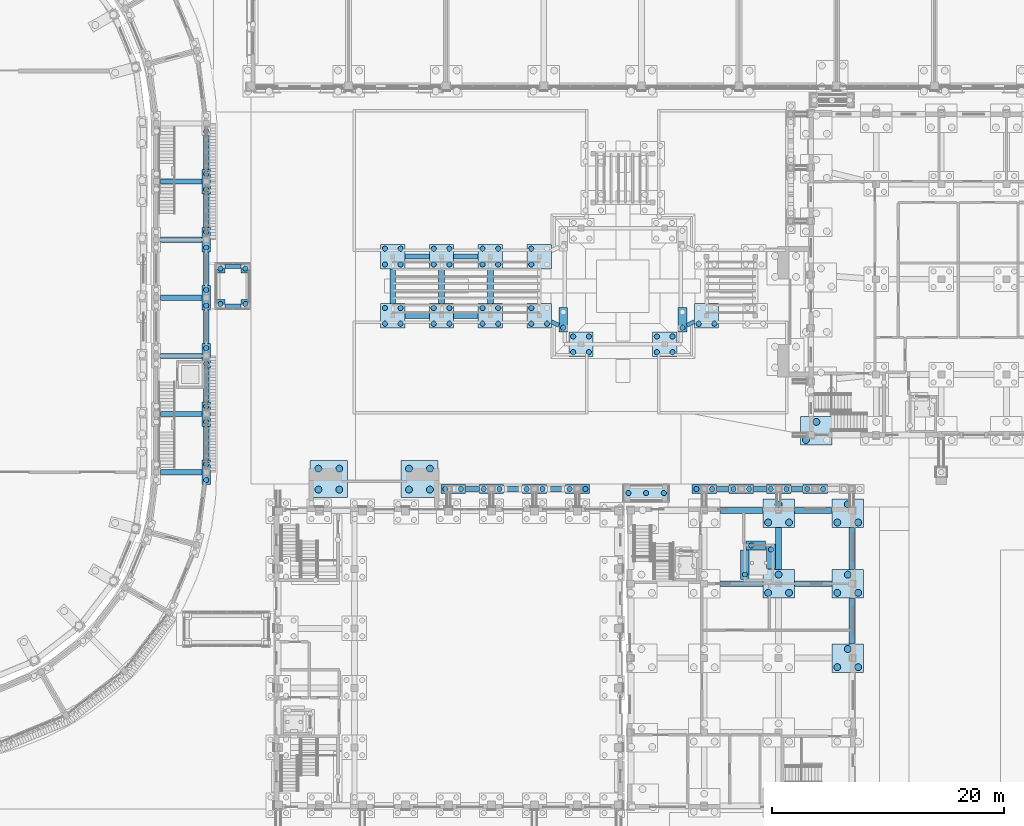
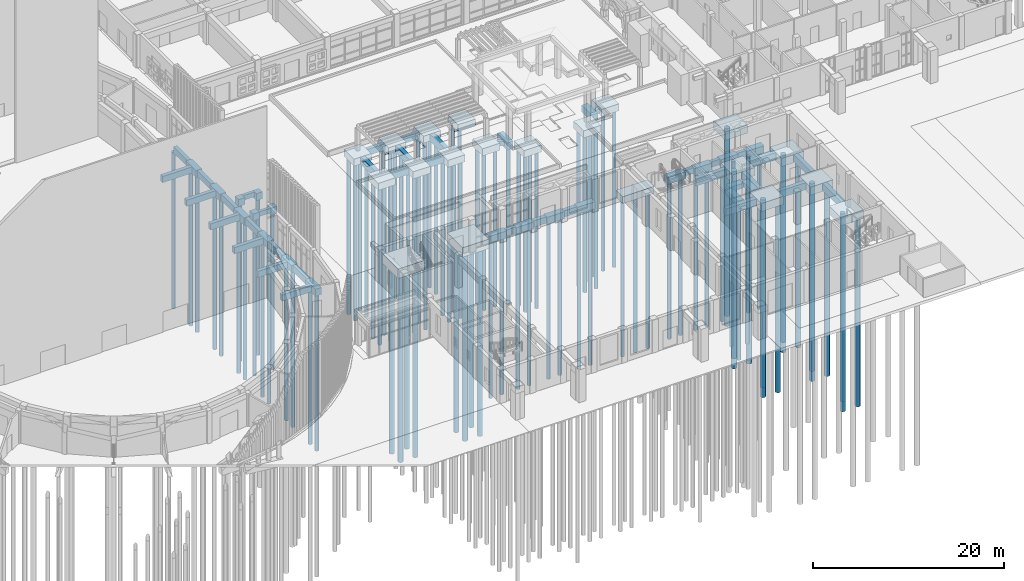
# One storey, part 5 of 112: 105 piles, 79 footings.
"""IFC4 building model written with IfcOpenShell, lengths in metres."""

from ifc_helpers import new_model, si_unit, direction, frame, origin, origin_2d, place, context, subcontext, project, spatial, rectangle, circle, extrude, material, material_profile, profile_set, type_object, element, save


model = new_model("IFC4")

# Units and contexts
model_context = context("Model", 3, precision=1e-05, world=origin(), true_north=direction((0.0, 1.0)))
body_context = subcontext(model_context, "Body", "Model", "MODEL_VIEW")
ifc_project = project(units=[si_unit("LENGTHUNIT", "METRE"), si_unit("AREAUNIT", "SQUARE_METRE"), si_unit("VOLUMEUNIT", "CUBIC_METRE"), si_unit("PLANEANGLEUNIT", "RADIAN"), si_unit("MASSUNIT", "GRAM", prefix="KILO")], contexts=[model_context])

# Site, building, storey
site_placement = place(None, origin())
site = spatial("IfcSite", under=ifc_project, at=site_placement, CompositionType="ELEMENT")
building_placement = place(site_placement, origin())
building = spatial("IfcBuilding", under=site, at=building_placement, Name="Wasatch Bagh Community Centre", CompositionType="ELEMENT")
storey_placement = place(building_placement, origin())
storey = spatial("IfcBuildingStorey", under=building, at=storey_placement, Name="L00", CompositionType="ELEMENT", Elevation=0.0)

# Footings
ifc_material_1 = material(Name="Concrete C30", Category="concrete")
footing_type_1 = type_object("IfcFootingType", Name="DHPQ-F2", PredefinedType="PILE_CAP", material=ifc_material_1)
for number, where, z_axis, x_axis, name in (
    (1, (70.699951171875, 34.39990234375, -1.39990234375), (0.0, 0.0, 1.0), (0.0, 1.0, 0.0), "Iwan flank 1 cap"),
    (2, (78.5, 34.39990234375, -1.39990234375), (0.0, 0.0, 1.0), (0.0, 1.0, 0.0), "Iwan flank 2 cap"),
):
    element("IfcFooting", number, at=place(storey_placement, frame(where, z_axis=z_axis, x_axis=x_axis)), inside=storey, type_object=footing_type_1, Name=name, PredefinedType="PILE_CAP", context=body_context, shape_type="SweptSolid", body=[
        extrude(rectangle(XDim=3.199951171875, YDim=3.199951171875, at=origin_2d()), origin(), (0.0, 0.0, 1.0), 1.199951171875),
    ])
ifc_material_2 = material(Name="Concrete C35", Category="concrete")
footing_type_2 = type_object("IfcFootingType", Name="FD-GB-A", PredefinedType="FOOTING_BEAM", material=ifc_material_2)
for number, where, z_axis, x_axis, name in (
    (3, (104.60009765625, 33.550048828125, -0.89990234375), (0.0, 0.0, 1.0), (1.0, 0.0, 0.0), "GB ground beam 4"),
    (4, (107.800048828125, 33.550048828125, -0.89990234375), (0.0, 0.0, 1.0), (1.0, 0.0, 0.0), "GB ground beam 5"),
):
    element("IfcFooting", number, at=place(storey_placement, frame(where, z_axis=z_axis, x_axis=x_axis)), inside=storey, type_object=footing_type_2, Name=name, PredefinedType="FOOTING_BEAM", context=body_context, shape_type="SweptSolid", body=[
        extrude(rectangle(XDim=1.10009765625, YDim=0.39990234375, at=origin_2d()), origin(), (0.0, 0.0, 1.0), 0.699951171875),
    ])
footing_1_placement = place(storey_placement, frame((110.97509765625, 33.550048828125, -0.89990234375), z_axis=(0.0, 0.0, 1.0), x_axis=(1.0, 0.0, 0.0)))
element("IfcFooting", 5, at=footing_1_placement, inside=storey, type_object=footing_type_2, Name="GB ground beam 6", PredefinedType="FOOTING_BEAM", context=body_context, shape_type="SweptSolid", body=[
    extrude(rectangle(XDim=1.050048828125, YDim=0.39990234375, at=origin_2d()), origin(), (0.0, 0.0, 1.0), 0.699951171875),
])
footing_type_3 = type_object("IfcFootingType", Name="FD-GB-B", PredefinedType="FOOTING_BEAM", material=ifc_material_2)
footing_2_placement = place(storey_placement, frame((86.550048828125, 33.550048828125, -1.0), z_axis=(0.0, 0.0, 1.0), x_axis=(1.0, 0.0, 0.0)))
element("IfcFooting", 6, at=footing_2_placement, inside=storey, type_object=footing_type_3, Name="GB ground beam 1", PredefinedType="FOOTING_BEAM", context=body_context, shape_type="SweptSolid", body=[
    extrude(rectangle(XDim=1.60009765625, YDim=0.449951171875, at=origin_2d()), origin(), (0.0, 0.0, 1.0), 0.800048828125),
])
footing_3_placement = place(storey_placement, frame((83.050048828125, 33.550048828125, -1.0), z_axis=(0.0, 0.0, 1.0), x_axis=(-1.0, 0.0, 0.0)))
element("IfcFooting", 7, at=footing_3_placement, inside=storey, type_object=footing_type_3, Name="GB ground beam 2", PredefinedType="FOOTING_BEAM", context=body_context, shape_type="SweptSolid", body=[
    extrude(rectangle(XDim=1.199951171875, YDim=0.449951171875, at=origin_2d()), origin(), (0.0, 0.0, 1.0), 0.800048828125),
])
footing_4_placement = place(storey_placement, frame((90.25, 33.550048828125, -1.0), z_axis=(0.0, 0.0, 1.0), x_axis=(1.0, 0.0, 0.0)))
element("IfcFooting", 8, at=footing_4_placement, inside=storey, type_object=footing_type_3, Name="GB ground beam 3", PredefinedType="FOOTING_BEAM", context=body_context, shape_type="SweptSolid", body=[
    extrude(rectangle(XDim=1.60009765625, YDim=0.449951171875, at=origin_2d()), origin(), (0.0, 0.0, 1.0), 0.800048828125),
])
for number, where, z_axis, x_axis, name in (
    (9, (58.0, 35.0, -1.0), (0.0, 0.0, 1.0), (1.0, 0.0, 0.0), "GB ground beam 75"),
    (10, (58.0, 40.0, -1.0), (0.0, 0.0, 1.0), (1.0, 0.0, 0.0), "GB ground beam 77"),
    (11, (58.0, 45.0, -1.0), (0.0, 0.0, 1.0), (1.0, 0.0, 0.0), "GB ground beam 79"),
    (12, (58.0, 50.0, -1.0), (0.0, 0.0, 1.0), (1.0, 0.0, 0.0), "GB ground beam 81"),
    (13, (58.0, 55.0, -1.0), (0.0, 0.0, 1.0), (1.0, 0.0, 0.0), "GB ground beam 83"),
    (14, (58.0, 60.0, -1.0), (0.0, 0.0, 1.0), (1.0, 0.0, 0.0), "GB ground beam 85"),
):
    element("IfcFooting", number, at=place(storey_placement, frame(where, z_axis=z_axis, x_axis=x_axis)), inside=storey, type_object=footing_type_3, Name=name, PredefinedType="FOOTING_BEAM", context=body_context, shape_type="SweptSolid", body=[
        extrude(rectangle(XDim=3.550048828125, YDim=0.449951171875, at=origin_2d()), origin(), (0.0, 0.0, 1.0), 0.800048828125),
    ])
for number, where, z_axis, x_axis, name in (
    (15, (60.14990234375, 37.5, -1.0), (0.0, 0.0, 1.0), (0.0, 1.0, 0.0), "GB ground beam 145"),
    (16, (60.14990234375, 42.5, -1.0), (0.0, 0.0, 1.0), (0.0, 1.0, 0.0), "GB ground beam 146"),
    (17, (60.14990234375, 47.5, -1.0), (0.0, 0.0, 1.0), (0.0, 1.0, 0.0), "GB ground beam 147"),
    (18, (60.14990234375, 52.5, -1.0), (0.0, 0.0, 1.0), (0.0, 1.0, 0.0), "GB ground beam 148"),
    (19, (60.14990234375, 57.5, -1.0), (0.0, 0.0, 1.0), (0.0, 1.0, 0.0), "GB ground beam 149"),
    (20, (60.14990234375, 62.5, -1.0), (0.0, 0.0, 1.0), (0.0, 1.0, 0.0), "GB ground beam 150"),
):
    element("IfcFooting", number, at=place(storey_placement, frame(where, z_axis=z_axis, x_axis=x_axis)), inside=storey, type_object=footing_type_3, Name=name, PredefinedType="FOOTING_BEAM", context=body_context, shape_type="SweptSolid", body=[
        extrude(rectangle(XDim=2.89990234375, YDim=0.449951171875, at=origin_2d()), origin(), (0.0, 0.0, 1.0), 0.800048828125),
    ])
for number, where, z_axis, x_axis, name in (
    (21, (82.5, 48.449951171875, -1.0), (0.0, 0.0, 1.0), (-1.0, 0.0, 0.0), "GB ground beam 322"),
    (22, (82.5, 53.550048828125, -1.0), (0.0, 0.0, 1.0), (-1.0, 0.0, 0.0), "GB ground beam 323"),
    (23, (78.300048828125, 48.449951171875, -1.0), (0.0, 0.0, 1.0), (-1.0, 0.0, 0.0), "GB ground beam 325"),
    (24, (78.300048828125, 53.550048828125, -1.0), (0.0, 0.0, 1.0), (-1.0, 0.0, 0.0), "GB ground beam 326"),
):
    element("IfcFooting", number, at=place(storey_placement, frame(where, z_axis=z_axis, x_axis=x_axis)), inside=storey, type_object=footing_type_3, Name=name, PredefinedType="FOOTING_BEAM", context=body_context, shape_type="SweptSolid", body=[
        extrude(rectangle(XDim=2.10009765625, YDim=0.449951171875, at=origin_2d()), origin(), (0.0, 0.0, 1.0), 0.800048828125),
    ])
footing_type_4 = type_object("IfcFootingType", Name="FD-GB-C", PredefinedType="FOOTING_BEAM", material=ifc_material_2)
footing_5_placement = place(storey_placement, frame((106.199951171875, 25.39990234375, -1.099853515625), z_axis=(0.0, 0.0, 1.0), x_axis=(1.0, 0.0, 0.0)))
element("IfcFooting", 25, at=footing_5_placement, inside=storey, type_object=footing_type_4, Name="GB ground beam 164", PredefinedType="FOOTING_BEAM", context=body_context, shape_type="SweptSolid", body=[
    extrude(rectangle(XDim=3.699951171875, YDim=0.5, at=origin_2d()), origin(), (0.0, 0.0, 1.0), 0.89990234375),
])
footing_6_placement = place(storey_placement, frame((109.39990234375, 28.425048828125, -1.099853515625), z_axis=(0.0, 0.0, 1.0), x_axis=(0.0, 1.0, 0.0)))
element("IfcFooting", 26, at=footing_6_placement, inside=storey, type_object=footing_type_4, Name="GB ground beam 172", PredefinedType="FOOTING_BEAM", context=body_context, shape_type="SweptSolid", body=[
    extrude(rectangle(XDim=3.591064453125, YDim=0.5, at=origin_2d()), origin(), (0.0, 0.0, 1.0), 0.89990234375),
])
footing_7_placement = place(storey_placement, frame((112.375, 25.39990234375, -1.099853515625), z_axis=(0.0, 0.0, 1.0), x_axis=(1.0, 0.0, 0.0)))
element("IfcFooting", 27, at=footing_7_placement, inside=storey, type_object=footing_type_4, Name="GB ground beam 173", PredefinedType="FOOTING_BEAM", context=body_context, shape_type="SweptSolid", body=[
    extrude(rectangle(XDim=3.25, YDim=0.5, at=origin_2d()), origin(), (0.0, 0.0, 1.0), 0.89990234375),
])
footing_8_placement = place(storey_placement, frame((106.199951171875, 31.699951171875, -1.099853515625), z_axis=(0.0, 0.0, 1.0), x_axis=(1.0, 0.0, 0.0)))
element("IfcFooting", 28, at=footing_8_placement, inside=storey, type_object=footing_type_4, Name="GB ground beam 181", PredefinedType="FOOTING_BEAM", context=body_context, shape_type="SweptSolid", body=[
    extrude(rectangle(XDim=3.699951171875, YDim=0.5, at=origin_2d()), origin(), (0.0, 0.0, 1.0), 0.89990234375),
])
footing_9_placement = place(storey_placement, frame((112.375, 31.699951171875, -1.099853515625), z_axis=(0.0, 0.0, 1.0), x_axis=(1.0, 0.0, 0.0)))
element("IfcFooting", 29, at=footing_9_placement, inside=storey, type_object=footing_type_4, Name="GB ground beam 183", PredefinedType="FOOTING_BEAM", context=body_context, shape_type="SweptSolid", body=[
    extrude(rectangle(XDim=3.25, YDim=0.5, at=origin_2d()), origin(), (0.0, 0.0, 1.0), 0.89990234375),
])
footing_10_placement = place(storey_placement, frame((115.699951171875, 22.199951171875, -1.099853515625), z_axis=(0.0, 0.0, 1.0), x_axis=(0.0, 1.0, 0.0)))
element("IfcFooting", 30, at=footing_10_placement, inside=storey, type_object=footing_type_4, Name="GB ground beam 186", PredefinedType="FOOTING_BEAM", context=body_context, shape_type="SweptSolid", body=[
    extrude(rectangle(XDim=3.94091796875, YDim=0.5, at=origin_2d()), origin(), (0.0, 0.0, 1.0), 0.89990234375),
])
footing_11_placement = place(storey_placement, frame((115.699951171875, 28.425048828125, -1.099853515625), z_axis=(0.0, 0.0, 1.0), x_axis=(0.0, 1.0, 0.0)))
element("IfcFooting", 31, at=footing_11_placement, inside=storey, type_object=footing_type_4, Name="GB ground beam 187", PredefinedType="FOOTING_BEAM", context=body_context, shape_type="SweptSolid", body=[
    extrude(rectangle(XDim=3.591064453125, YDim=0.5, at=origin_2d()), origin(), (0.0, 0.0, 1.0), 0.89990234375),
])
for number, where, z_axis, x_axis, name in (
    (32, (84.60009765625, 51.0, -1.099853515625), (0.0, 0.0, 1.0), (0.0, 1.0, 0.0), "GB ground beam 321"),
    (33, (80.39990234375, 51.0, -1.099853515625), (0.0, 0.0, 1.0), (0.0, 1.0, 0.0), "GB ground beam 324"),
    (34, (76.199951171875, 51.0, -1.099853515625), (0.0, 0.0, 1.0), (0.0, 1.0, 0.0), "GB ground beam 327"),
):
    element("IfcFooting", number, at=place(storey_placement, frame(where, z_axis=z_axis, x_axis=x_axis)), inside=storey, type_object=footing_type_4, Name=name, PredefinedType="FOOTING_BEAM", context=body_context, shape_type="SweptSolid", body=[
        extrude(rectangle(XDim=3.0, YDim=0.5, at=origin_2d()), origin(), (0.0, 0.0, 1.0), 0.89990234375),
    ])
footing_type_5 = type_object("IfcFootingType", Name="FD-GB-S", PredefinedType="FOOTING_BEAM", material=ifc_material_2)
for number, where, z_axis, x_axis, name in (
    (35, (62.449951171875, 49.300048828125, -0.800048828125), (0.0, 0.0, 1.0), (1.0, 0.0, 0.0), "GB ground beam 260"),
    (36, (62.449951171875, 52.699951171875, -0.800048828125), (0.0, 0.0, 1.0), (1.0, 0.0, 0.0), "GB ground beam 261"),
):
    element("IfcFooting", number, at=place(storey_placement, frame(where, z_axis=z_axis, x_axis=x_axis)), inside=storey, type_object=footing_type_5, Name=name, PredefinedType="FOOTING_BEAM", context=body_context, shape_type="SweptSolid", body=[
        extrude(rectangle(XDim=1.39990234375, YDim=0.35009765625, at=origin_2d()), origin(), (0.0, 0.0, 1.0), 0.60009765625),
    ])
for number, where, z_axis, x_axis, name in (
    (37, (90.175048828125, 47.793701171875, -0.800048828125), (0.0, 0.0, 1.0), (0.90248103778, -0.430729586222, 0.0), "GB ground beam 319"),
    (38, (101.824951171875, 47.793701171875, -0.800048828125), (0.0, 0.0, 1.0), (-0.90248103778, -0.430729586222, 0.0), "GB ground beam 328"),
):
    element("IfcFooting", number, at=place(storey_placement, frame(where, z_axis=z_axis, x_axis=x_axis)), inside=storey, type_object=footing_type_5, Name=name, PredefinedType="FOOTING_BEAM", context=body_context, shape_type="SweptSolid", body=[
        extrude(rectangle(XDim=0.72021484375, YDim=0.35009765625, at=origin_2d()), origin(), (0.0, 0.0, 1.0), 0.60009765625),
    ])

# Piles
ifc_material_profile_1 = material_profile(ifc_material_1, circle(Radius=0.22509765625, at=origin_2d()), Name="RC D450")
ifc_profile_set_1 = profile_set([ifc_material_profile_1], Name="Concrete C30")
pile_type_1 = type_object("IfcPileType", Name="FD-P450", PredefinedType="BORED", material=ifc_profile_set_1)
for number, where, z_axis, x_axis, name in (
    (39, (80.72509765625, 33.550048828125, -1.10009765625), (0.0, 0.0, -1.0), (1.0, 0.0, 0.0), "P pile 5.1"),
    (40, (82.074951171875, 33.550048828125, -1.10009765625), (0.0, 0.0, -1.0), (1.0, 0.0, 0.0), "P pile 5.2"),
    (41, (84.02490234375, 33.550048828125, -1.10009765625), (0.0, 0.0, -1.0), (1.0, 0.0, 0.0), "P pile 6.1"),
    (42, (85.375, 33.550048828125, -1.10009765625), (0.0, 0.0, -1.0), (1.0, 0.0, 0.0), "P pile 6.2"),
    (43, (87.72509765625, 33.550048828125, -1.10009765625), (0.0, 0.0, -1.0), (1.0, 0.0, 0.0), "P pile 7.1"),
    (44, (89.074951171875, 33.550048828125, -1.10009765625), (0.0, 0.0, -1.0), (1.0, 0.0, 0.0), "P pile 7.2"),
    (45, (91.425048828125, 33.550048828125, -1.10009765625), (0.0, 0.0, -1.0), (1.0, 0.0, 0.0), "P pile 8.1"),
    (46, (92.77490234375, 33.550048828125, -1.10009765625), (0.0, 0.0, -1.0), (1.0, 0.0, 0.0), "P pile 8.2"),
    (47, (102.324951171875, 33.550048828125, -1.10009765625), (0.0, 0.0, -1.0), (1.0, 0.0, 0.0), "P pile 9.1"),
    (48, (103.675048828125, 33.550048828125, -1.10009765625), (0.0, 0.0, -1.0), (1.0, 0.0, 0.0), "P pile 9.2"),
    (49, (105.52490234375, 33.550048828125, -1.10009765625), (0.0, 0.0, -1.0), (1.0, 0.0, 0.0), "P pile 10.1"),
    (50, (106.875, 33.550048828125, -1.10009765625), (0.0, 0.0, -1.0), (1.0, 0.0, 0.0), "P pile 10.2"),
    (51, (108.72509765625, 33.550048828125, -1.10009765625), (0.0, 0.0, -1.0), (1.0, 0.0, 0.0), "P pile 11.1"),
    (52, (110.074951171875, 33.550048828125, -1.10009765625), (0.0, 0.0, -1.0), (1.0, 0.0, 0.0), "P pile 11.2"),
    (53, (111.875, 33.550048828125, -1.10009765625), (0.0, 0.0, -1.0), (1.0, 0.0, 0.0), "P pile 12.1"),
    (54, (113.22509765625, 33.550048828125, -1.10009765625), (0.0, 0.0, -1.0), (1.0, 0.0, 0.0), "P pile 12.2"),
    (55, (60.14990234375, 34.324951171875, -1.10009765625), (0.0, 0.0, -1.0), (1.0, 0.0, 0.0), "P pile 104.1"),
    (56, (60.14990234375, 35.675048828125, -1.10009765625), (0.0, 0.0, -1.0), (1.0, 0.0, 0.0), "P pile 104.2"),
    (57, (60.14990234375, 39.324951171875, -1.10009765625), (0.0, 0.0, -1.0), (1.0, 0.0, 0.0), "P pile 108.1"),
    (58, (60.14990234375, 40.675048828125, -1.10009765625), (0.0, 0.0, -1.0), (1.0, 0.0, 0.0), "P pile 108.2"),
    (59, (60.14990234375, 44.324951171875, -1.10009765625), (0.0, 0.0, -1.0), (1.0, 0.0, 0.0), "P pile 112.1"),
    (60, (60.14990234375, 45.675048828125, -1.10009765625), (0.0, 0.0, -1.0), (1.0, 0.0, 0.0), "P pile 112.2"),
    (61, (60.14990234375, 49.324951171875, -1.10009765625), (0.0, 0.0, -1.0), (1.0, 0.0, 0.0), "P pile 116.1"),
    (62, (60.14990234375, 50.675048828125, -1.10009765625), (0.0, 0.0, -1.0), (1.0, 0.0, 0.0), "P pile 116.2"),
    (63, (60.14990234375, 54.324951171875, -1.10009765625), (0.0, 0.0, -1.0), (1.0, 0.0, 0.0), "P pile 120.1"),
    (64, (60.14990234375, 55.675048828125, -1.10009765625), (0.0, 0.0, -1.0), (1.0, 0.0, 0.0), "P pile 120.2"),
    (65, (60.14990234375, 59.324951171875, -1.10009765625), (0.0, 0.0, -1.0), (1.0, 0.0, 0.0), "P pile 124.1"),
    (66, (60.14990234375, 60.675048828125, -1.10009765625), (0.0, 0.0, -1.0), (1.0, 0.0, 0.0), "P pile 124.2"),
    (67, (60.14990234375, 64.324951171875, -1.10009765625), (0.0, 0.0, -1.0), (1.0, 0.0, 0.0), "P pile 128.1"),
    (68, (61.375, 49.47509765625, -1.10009765625), (0.0, 0.0, -1.0), (1.0, 0.0, 0.0), "P pile 247.1"),
    (69, (63.52490234375, 49.47509765625, -1.10009765625), (0.0, 0.0, -1.0), (1.0, 0.0, 0.0), "P pile 248.1"),
    (70, (61.375, 52.52490234375, -1.10009765625), (0.0, 0.0, -1.0), (1.0, 0.0, 0.0), "P pile 249.1"),
    (71, (63.52490234375, 52.52490234375, -1.10009765625), (0.0, 0.0, -1.0), (1.0, 0.0, 0.0), "P pile 250.1"),
    (72, (96.47509765625, 33.199951171875, -1.10009765625), (0.0, 0.0, -1.0), (1.0, 0.0, 0.0), "P pile 256.1"),
    (73, (98.0, 33.199951171875, -1.10009765625), (0.0, 0.0, -1.0), (1.0, 0.0, 0.0), "P pile 256.2"),
    (74, (99.52490234375, 33.199951171875, -1.10009765625), (0.0, 0.0, -1.0), (1.0, 0.0, 0.0), "P pile 256.3"),
    (75, (91.72509765625, 45.324951171875, -1.10009765625), (0.0, 0.0, -1.0), (1.0, 0.0, 0.0), "P pile 296.1"),
    (76, (93.074951171875, 45.324951171875, -1.10009765625), (0.0, 0.0, -1.0), (1.0, 0.0, 0.0), "P pile 296.2"),
    (77, (91.72509765625, 46.675048828125, -1.10009765625), (0.0, 0.0, -1.0), (1.0, 0.0, 0.0), "P pile 296.3"),
    (78, (93.074951171875, 46.675048828125, -1.10009765625), (0.0, 0.0, -1.0), (1.0, 0.0, 0.0), "P pile 296.4"),
    (79, (98.925048828125, 45.324951171875, -1.10009765625), (0.0, 0.0, -1.0), (1.0, 0.0, 0.0), "P pile 297.1"),
    (80, (100.27490234375, 45.324951171875, -1.10009765625), (0.0, 0.0, -1.0), (1.0, 0.0, 0.0), "P pile 297.2"),
    (81, (98.925048828125, 46.675048828125, -1.10009765625), (0.0, 0.0, -1.0), (1.0, 0.0, 0.0), "P pile 297.3"),
    (82, (100.27490234375, 46.675048828125, -1.10009765625), (0.0, 0.0, -1.0), (1.0, 0.0, 0.0), "P pile 297.4"),
    (83, (90.875, 47.425048828125, -1.10009765625), (0.0, 0.0, -1.0), (1.0, 0.0, 0.0), "P pile 298.1"),
    (84, (101.125, 47.425048828125, -1.10009765625), (0.0, 0.0, -1.0), (1.0, 0.0, 0.0), "P pile 299.1"),
    (85, (75.52490234375, 47.77490234375, -1.10009765625), (0.0, 0.0, -1.0), (1.0, 0.0, 0.0), "P pile 300.1"),
    (86, (76.875, 47.77490234375, -1.10009765625), (0.0, 0.0, -1.0), (1.0, 0.0, 0.0), "P pile 300.2"),
    (87, (75.52490234375, 49.125, -1.10009765625), (0.0, 0.0, -1.0), (1.0, 0.0, 0.0), "P pile 300.3"),
    (88, (76.875, 49.125, -1.10009765625), (0.0, 0.0, -1.0), (1.0, 0.0, 0.0), "P pile 300.4"),
    (89, (79.72509765625, 47.77490234375, -1.10009765625), (0.0, 0.0, -1.0), (1.0, 0.0, 0.0), "P pile 301.1"),
    (90, (81.074951171875, 47.77490234375, -1.10009765625), (0.0, 0.0, -1.0), (1.0, 0.0, 0.0), "P pile 301.2"),
    (91, (79.72509765625, 49.125, -1.10009765625), (0.0, 0.0, -1.0), (1.0, 0.0, 0.0), "P pile 301.3"),
    (92, (81.074951171875, 49.125, -1.10009765625), (0.0, 0.0, -1.0), (1.0, 0.0, 0.0), "P pile 301.4"),
    (93, (83.925048828125, 47.77490234375, -1.10009765625), (0.0, 0.0, -1.0), (1.0, 0.0, 0.0), "P pile 302.1"),
    (94, (85.27490234375, 47.77490234375, -1.10009765625), (0.0, 0.0, -1.0), (1.0, 0.0, 0.0), "P pile 302.2"),
    (95, (83.925048828125, 49.125, -1.10009765625), (0.0, 0.0, -1.0), (1.0, 0.0, 0.0), "P pile 302.3"),
    (96, (85.27490234375, 49.125, -1.10009765625), (0.0, 0.0, -1.0), (1.0, 0.0, 0.0), "P pile 302.4"),
    (97, (88.125, 47.77490234375, -1.10009765625), (0.0, 0.0, -1.0), (1.0, 0.0, 0.0), "P pile 303.1"),
    (98, (89.47509765625, 47.77490234375, -1.10009765625), (0.0, 0.0, -1.0), (1.0, 0.0, 0.0), "P pile 303.2"),
    (99, (88.125, 49.125, -1.10009765625), (0.0, 0.0, -1.0), (1.0, 0.0, 0.0), "P pile 303.3"),
    (100, (102.52490234375, 47.77490234375, -1.10009765625), (0.0, 0.0, -1.0), (1.0, 0.0, 0.0), "P pile 304.1"),
    (101, (103.875, 47.77490234375, -1.10009765625), (0.0, 0.0, -1.0), (1.0, 0.0, 0.0), "P pile 304.2"),
    (102, (75.52490234375, 52.875, -1.10009765625), (0.0, 0.0, -1.0), (1.0, 0.0, 0.0), "P pile 306.1"),
    (103, (76.875, 52.875, -1.10009765625), (0.0, 0.0, -1.0), (1.0, 0.0, 0.0), "P pile 306.2"),
    (104, (75.52490234375, 54.22509765625, -1.10009765625), (0.0, 0.0, -1.0), (1.0, 0.0, 0.0), "P pile 306.3"),
    (105, (76.875, 54.22509765625, -1.10009765625), (0.0, 0.0, -1.0), (1.0, 0.0, 0.0), "P pile 306.4"),
    (106, (79.72509765625, 52.875, -1.10009765625), (0.0, 0.0, -1.0), (1.0, 0.0, 0.0), "P pile 307.1"),
    (107, (81.074951171875, 52.875, -1.10009765625), (0.0, 0.0, -1.0), (1.0, 0.0, 0.0), "P pile 307.2"),
    (108, (79.72509765625, 54.22509765625, -1.10009765625), (0.0, 0.0, -1.0), (1.0, 0.0, 0.0), "P pile 307.3"),
    (109, (81.074951171875, 54.22509765625, -1.10009765625), (0.0, 0.0, -1.0), (1.0, 0.0, 0.0), "P pile 307.4"),
    (110, (83.925048828125, 52.875, -1.10009765625), (0.0, 0.0, -1.0), (1.0, 0.0, 0.0), "P pile 308.1"),
    (111, (85.27490234375, 52.875, -1.10009765625), (0.0, 0.0, -1.0), (1.0, 0.0, 0.0), "P pile 308.2"),
    (112, (83.925048828125, 54.22509765625, -1.10009765625), (0.0, 0.0, -1.0), (1.0, 0.0, 0.0), "P pile 308.3"),
    (113, (85.27490234375, 54.22509765625, -1.10009765625), (0.0, 0.0, -1.0), (1.0, 0.0, 0.0), "P pile 308.4"),
    (114, (88.125, 52.875, -1.10009765625), (0.0, 0.0, -1.0), (1.0, 0.0, 0.0), "P pile 309.1"),
    (115, (88.125, 54.22509765625, -1.10009765625), (0.0, 0.0, -1.0), (1.0, 0.0, 0.0), "P pile 309.3"),
    (116, (108.75, 28.35009765625, -0.800048828125), (0.0, 0.0, -1.0), (1.0, 0.0, 0.0), "P pile SF18.1"),
    (117, (107.050048828125, 28.699951171875, -0.800048828125), (0.0, 0.0, -1.0), (1.0, 0.0, 0.0), "P pile SF19.1"),
    (118, (106.5, 26.199951171875, -0.800048828125), (0.0, 0.0, -1.0), (1.0, 0.0, 0.0), "P pile SF20.1"),
):
    element("IfcPile", number, at=place(storey_placement, frame(where, z_axis=z_axis, x_axis=x_axis)), inside=storey, type_object=pile_type_1, Name=name, PredefinedType="BORED", context=body_context, shape_type="SweptSolid", body=[
        extrude(circle(Radius=0.22509765625, at=origin_2d()), origin(), (0.0, 0.0, 1.0), 20.0),
    ])
ifc_material_profile_2 = material_profile(ifc_material_1, circle(Radius=0.300048828125, at=origin_2d()), Name="RC D600")
ifc_profile_set_2 = profile_set([ifc_material_profile_2], Name="Concrete C30")
pile_type_2 = type_object("IfcPileType", Name="FD-P600", PredefinedType="BORED", material=ifc_profile_set_2)
for number, where, z_axis, x_axis, name in (
    (119, (69.800048828125, 33.5, -1.39990234375), (0.0, 0.0, -1.0), (1.0, 0.0, 0.0), "DHPQ.pile.L00.PIER1.1"),
    (120, (71.60009765625, 33.5, -1.39990234375), (0.0, 0.0, -1.0), (1.0, 0.0, 0.0), "DHPQ.pile.L00.PIER1.2"),
    (121, (69.800048828125, 35.300048828125, -1.39990234375), (0.0, 0.0, -1.0), (1.0, 0.0, 0.0), "DHPQ.pile.L00.PIER1.3"),
    (122, (71.60009765625, 35.300048828125, -1.39990234375), (0.0, 0.0, -1.0), (1.0, 0.0, 0.0), "DHPQ.pile.L00.PIER1.4"),
    (123, (77.60009765625, 33.5, -1.39990234375), (0.0, 0.0, -1.0), (1.0, 0.0, 0.0), "DHPQ.pile.L00.PIER2.1"),
    (124, (79.39990234375, 33.5, -1.39990234375), (0.0, 0.0, -1.0), (1.0, 0.0, 0.0), "DHPQ.pile.L00.PIER2.2"),
    (125, (77.60009765625, 35.300048828125, -1.39990234375), (0.0, 0.0, -1.0), (1.0, 0.0, 0.0), "DHPQ.pile.L00.PIER2.3"),
    (126, (79.39990234375, 35.300048828125, -1.39990234375), (0.0, 0.0, -1.0), (1.0, 0.0, 0.0), "DHPQ.pile.L00.PIER2.4"),
    (127, (114.449951171875, 18.220458984375, -1.25), (0.0, 0.0, -1.0), (1.0, 0.0, 0.0), "P pile 162.1"),
    (128, (116.25, 18.220458984375, -1.25), (0.0, 0.0, -1.0), (1.0, 0.0, 0.0), "P pile 162.2"),
    (129, (115.35009765625, 19.779541015625, -1.25), (0.0, 0.0, -1.0), (1.0, 0.0, 0.0), "P pile 162.3"),
    (130, (108.5, 24.62060546875, -1.25), (0.0, 0.0, -1.0), (1.0, 0.0, 0.0), "P pile 165.1"),
    (131, (110.300048828125, 24.62060546875, -1.25), (0.0, 0.0, -1.0), (1.0, 0.0, 0.0), "P pile 165.2"),
    (132, (109.39990234375, 26.179443359375, -1.25), (0.0, 0.0, -1.0), (1.0, 0.0, 0.0), "P pile 165.3"),
    (133, (114.449951171875, 24.62060546875, -1.25), (0.0, 0.0, -1.0), (1.0, 0.0, 0.0), "P pile 166.1"),
    (134, (116.25, 24.62060546875, -1.25), (0.0, 0.0, -1.0), (1.0, 0.0, 0.0), "P pile 166.2"),
    (135, (115.35009765625, 26.179443359375, -1.25), (0.0, 0.0, -1.0), (1.0, 0.0, 0.0), "P pile 166.3"),
    (136, (108.5, 30.67041015625, -1.25), (0.0, 0.0, -1.0), (1.0, 0.0, 0.0), "P pile 169.1"),
    (137, (110.300048828125, 30.67041015625, -1.25), (0.0, 0.0, -1.0), (1.0, 0.0, 0.0), "P pile 169.2"),
    (138, (109.39990234375, 32.2294921875, -1.25), (0.0, 0.0, -1.0), (1.0, 0.0, 0.0), "P pile 169.3"),
    (139, (114.449951171875, 30.67041015625, -1.25), (0.0, 0.0, -1.0), (1.0, 0.0, 0.0), "P pile 170.1"),
    (140, (116.25, 30.67041015625, -1.25), (0.0, 0.0, -1.0), (1.0, 0.0, 0.0), "P pile 170.2"),
    (141, (115.35009765625, 32.2294921875, -1.25), (0.0, 0.0, -1.0), (1.0, 0.0, 0.0), "P pile 170.3"),
    (142, (111.75, 37.7705078125, -1.25), (0.0, 0.0, -1.0), (1.0, 0.0, 0.0), "P pile 257.1"),
    (143, (112.64990234375, 39.32958984375, -1.25), (0.0, 0.0, -1.0), (1.0, 0.0, 0.0), "P pile 257.3"),
):
    element("IfcPile", number, at=place(storey_placement, frame(where, z_axis=z_axis, x_axis=x_axis)), inside=storey, type_object=pile_type_2, Name=name, PredefinedType="BORED", context=body_context, shape_type="SweptSolid", body=[
        extrude(circle(Radius=0.300048828125, at=origin_2d()), origin(), (0.0, 0.0, 1.0), 24.0),
    ])

# Footings
footing_type_6 = type_object("IfcFootingType", Name="FD-PC1", PredefinedType="PILE_CAP", material=ifc_material_1)
for number, where, z_axis, x_axis, name in (
    (144, (61.375, 49.47509765625, -1.099853515625), (0.0, 0.0, 1.0), (1.0, 0.0, 0.0), "PC cap 247"),
    (145, (63.52490234375, 49.47509765625, -1.099853515625), (0.0, 0.0, 1.0), (1.0, 0.0, 0.0), "PC cap 248"),
    (146, (61.375, 52.52490234375, -1.099853515625), (0.0, 0.0, 1.0), (1.0, 0.0, 0.0), "PC cap 249"),
    (147, (63.52490234375, 52.52490234375, -1.099853515625), (0.0, 0.0, 1.0), (1.0, 0.0, 0.0), "PC cap 250"),
):
    element("IfcFooting", number, at=place(storey_placement, frame(where, z_axis=z_axis, x_axis=x_axis)), inside=storey, type_object=footing_type_6, Name=name, PredefinedType="PILE_CAP", context=body_context, shape_type="SweptSolid", body=[
        extrude(rectangle(XDim=0.75, YDim=0.75, at=origin_2d()), origin(), (0.0, 0.0, 1.0), 0.89990234375),
    ])
footing_type_7 = type_object("IfcFootingType", Name="FD-PC10", PredefinedType="PILE_CAP", material=ifc_material_1)
footing_12_placement = place(storey_placement, frame((98.0, 33.199951171875, -1.099853515625), z_axis=(0.0, 0.0, 1.0), x_axis=(1.0, 0.0, 0.0)))
element("IfcFooting", 148, at=footing_12_placement, inside=storey, type_object=footing_type_7, Name="PC cap 256", PredefinedType="PILE_CAP", context=body_context, shape_type="SweptSolid", body=[
    extrude(rectangle(XDim=3.800048828125, YDim=1.39990234375, at=origin_2d()), origin(), (0.0, 0.0, 1.0), 0.89990234375),
])
footing_type_8 = type_object("IfcFootingType", Name="FD-PC2", PredefinedType="PILE_CAP", material=ifc_material_1)
for number, where, z_axis, x_axis, name in (
    (149, (81.39990234375, 33.550048828125, -1.099853515625), (0.0, 0.0, 1.0), (1.0, 0.0, 0.0), "PC cap 5"),
    (150, (84.699951171875, 33.550048828125, -1.099853515625), (0.0, 0.0, 1.0), (1.0, 0.0, 0.0), "PC cap 6"),
    (151, (88.39990234375, 33.550048828125, -1.099853515625), (0.0, 0.0, 1.0), (1.0, 0.0, 0.0), "PC cap 7"),
    (152, (92.10009765625, 33.550048828125, -1.099853515625), (0.0, 0.0, 1.0), (1.0, 0.0, 0.0), "PC cap 8"),
    (153, (103.0, 33.550048828125, -1.099853515625), (0.0, 0.0, 1.0), (1.0, 0.0, 0.0), "PC cap 9"),
    (154, (106.199951171875, 33.550048828125, -1.099853515625), (0.0, 0.0, 1.0), (1.0, 0.0, 0.0), "PC cap 10"),
    (155, (109.39990234375, 33.550048828125, -1.099853515625), (0.0, 0.0, 1.0), (1.0, 0.0, 0.0), "PC cap 11"),
    (156, (112.550048828125, 33.550048828125, -1.099853515625), (0.0, 0.0, 1.0), (1.0, 0.0, 0.0), "PC cap 12"),
    (157, (60.14990234375, 35.0, -1.099853515625), (0.0, 0.0, 1.0), (0.0, 1.0, 0.0), "PC cap 104"),
    (158, (60.14990234375, 40.0, -1.099853515625), (0.0, 0.0, 1.0), (0.0, 1.0, 0.0), "PC cap 108"),
    (159, (60.14990234375, 45.0, -1.099853515625), (0.0, 0.0, 1.0), (0.0, 1.0, 0.0), "PC cap 112"),
    (160, (60.14990234375, 50.0, -1.099853515625), (0.0, 0.0, 1.0), (0.0, 1.0, 0.0), "PC cap 116"),
    (161, (60.14990234375, 55.0, -1.099853515625), (0.0, 0.0, 1.0), (0.0, 1.0, 0.0), "PC cap 120"),
    (162, (60.14990234375, 60.0, -1.099853515625), (0.0, 0.0, 1.0), (0.0, 1.0, 0.0), "PC cap 124"),
    (163, (90.875, 48.10009765625, -1.099853515625), (0.0, 0.0, 1.0), (0.0, 1.0, 0.0), "PC cap 298"),
    (164, (101.125, 48.10009765625, -1.099853515625), (0.0, 0.0, 1.0), (0.0, 1.0, 0.0), "PC cap 299"),
):
    element("IfcFooting", number, at=place(storey_placement, frame(where, z_axis=z_axis, x_axis=x_axis)), inside=storey, type_object=footing_type_8, Name=name, PredefinedType="PILE_CAP", context=body_context, shape_type="SweptSolid", body=[
        extrude(rectangle(XDim=2.10009765625, YDim=0.75, at=origin_2d()), origin(), (0.0, 0.0, 1.0), 0.89990234375),
    ])
footing_type_9 = type_object("IfcFootingType", Name="FD-PC4", PredefinedType="PILE_CAP", material=ifc_material_1)
for number, where, z_axis, x_axis, name in (
    (165, (92.39990234375, 46.0, -1.099853515625), (0.0, 0.0, 1.0), (1.0, 0.0, 0.0), "PC cap 296"),
    (166, (99.60009765625, 46.0, -1.099853515625), (0.0, 0.0, 1.0), (1.0, 0.0, 0.0), "PC cap 297"),
    (167, (76.199951171875, 48.449951171875, -1.099853515625), (0.0, 0.0, 1.0), (1.0, 0.0, 0.0), "PC cap 300"),
    (168, (80.39990234375, 48.449951171875, -1.099853515625), (0.0, 0.0, 1.0), (1.0, 0.0, 0.0), "PC cap 301"),
    (169, (84.60009765625, 48.449951171875, -1.099853515625), (0.0, 0.0, 1.0), (1.0, 0.0, 0.0), "PC cap 302"),
    (170, (88.800048828125, 48.449951171875, -1.099853515625), (0.0, 0.0, 1.0), (1.0, 0.0, 0.0), "PC cap 303"),
    (171, (103.199951171875, 48.449951171875, -1.099853515625), (0.0, 0.0, 1.0), (1.0, 0.0, 0.0), "PC cap 304"),
    (172, (76.199951171875, 53.550048828125, -1.099853515625), (0.0, 0.0, 1.0), (1.0, 0.0, 0.0), "PC cap 306"),
    (173, (80.39990234375, 53.550048828125, -1.099853515625), (0.0, 0.0, 1.0), (1.0, 0.0, 0.0), "PC cap 307"),
    (174, (84.60009765625, 53.550048828125, -1.099853515625), (0.0, 0.0, 1.0), (1.0, 0.0, 0.0), "PC cap 308"),
    (175, (88.800048828125, 53.550048828125, -1.099853515625), (0.0, 0.0, 1.0), (1.0, 0.0, 0.0), "PC cap 309"),
):
    element("IfcFooting", number, at=place(storey_placement, frame(where, z_axis=z_axis, x_axis=x_axis)), inside=storey, type_object=footing_type_9, Name=name, PredefinedType="PILE_CAP", context=body_context, shape_type="SweptSolid", body=[
        extrude(rectangle(XDim=2.10009765625, YDim=2.10009765625, at=origin_2d()), origin(), (0.0, 0.0, 1.0), 0.89990234375),
    ])
footing_type_10 = type_object("IfcFootingType", Name="FD-PC5", PredefinedType="PILE_CAP", material=ifc_material_1)
for number, where, z_axis, x_axis, name in (
    (176, (115.35009765625, 19.0, -1.25), (0.0, 0.0, 1.0), (1.0, 0.0, 0.0), "PC cap 162"),
    (177, (109.39990234375, 25.39990234375, -1.25), (0.0, 0.0, 1.0), (1.0, 0.0, 0.0), "PC cap 165"),
    (178, (115.35009765625, 25.39990234375, -1.25), (0.0, 0.0, 1.0), (1.0, 0.0, 0.0), "PC cap 166"),
    (179, (109.39990234375, 31.449951171875, -1.25), (0.0, 0.0, 1.0), (1.0, 0.0, 0.0), "PC cap 169"),
    (180, (115.35009765625, 31.449951171875, -1.25), (0.0, 0.0, 1.0), (1.0, 0.0, 0.0), "PC cap 170"),
    (181, (112.64990234375, 38.550048828125, -1.25), (0.0, 0.0, 1.0), (1.0, 0.0, 0.0), "PC cap 257"),
):
    element("IfcFooting", number, at=place(storey_placement, frame(where, z_axis=z_axis, x_axis=x_axis)), inside=storey, type_object=footing_type_10, Name=name, PredefinedType="PILE_CAP", context=body_context, shape_type="SweptSolid", body=[
        extrude(rectangle(XDim=2.699951171875, YDim=2.458984375, at=origin_2d()), origin(), (0.0, 0.0, 1.0), 1.050048828125),
    ])
footing_type_11 = type_object("IfcFootingType", Name="FD-SF3", PredefinedType="STRIP_FOOTING", material=ifc_material_1)
footing_13_placement = place(storey_placement, frame((108.75, 27.7646484375, -0.800048828125), z_axis=(0.0, 0.0, 1.0), x_axis=(0.0, 1.0, 0.0)))
element("IfcFooting", 182, at=footing_13_placement, inside=storey, type_object=footing_type_11, Name="SF wall footing 18", PredefinedType="STRIP_FOOTING", context=body_context, shape_type="SweptSolid", body=[
    extrude(rectangle(XDim=2.070556640625, YDim=0.75, at=origin_2d()), origin(), (0.0, 0.0, 1.0), 0.60009765625),
])
footing_14_placement = place(storey_placement, frame((107.4375, 28.699951171875, -0.800048828125), z_axis=(0.0, 0.0, 1.0), x_axis=(1.0, 0.0, 0.0)))
element("IfcFooting", 183, at=footing_14_placement, inside=storey, type_object=footing_type_11, Name="SF wall footing 19", PredefinedType="STRIP_FOOTING", context=body_context, shape_type="SweptSolid", body=[
    extrude(rectangle(XDim=1.675048828125, YDim=0.75, at=origin_2d()), origin(), (0.0, 0.0, 1.0), 0.60009765625),
])
footing_15_placement = place(storey_placement, frame((106.5, 27.03759765625, -0.800048828125), z_axis=(0.0, 0.0, 1.0), x_axis=(0.0, 1.0, 0.0)))
element("IfcFooting", 184, at=footing_15_placement, inside=storey, type_object=footing_type_11, Name="SF wall footing 20", PredefinedType="STRIP_FOOTING", context=body_context, shape_type="SweptSolid", body=[
    extrude(rectangle(XDim=2.574951171875, YDim=0.75, at=origin_2d()), origin(), (0.0, 0.0, 1.0), 0.60009765625),
])

save(model, "model.ifc")
